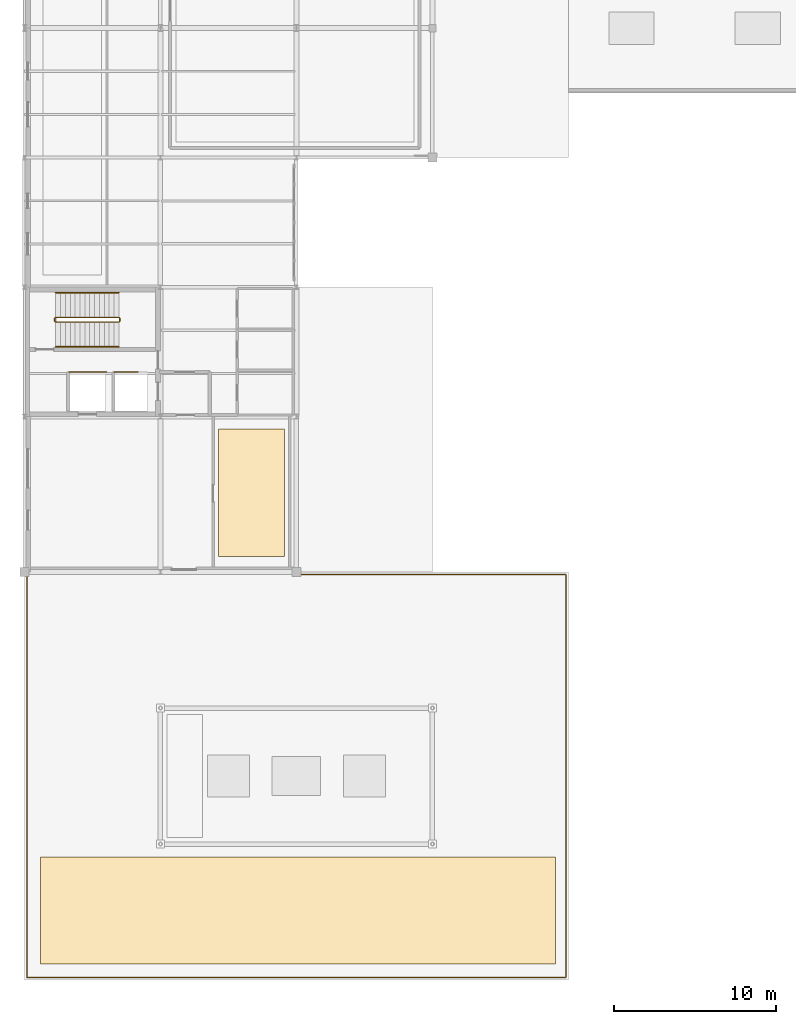
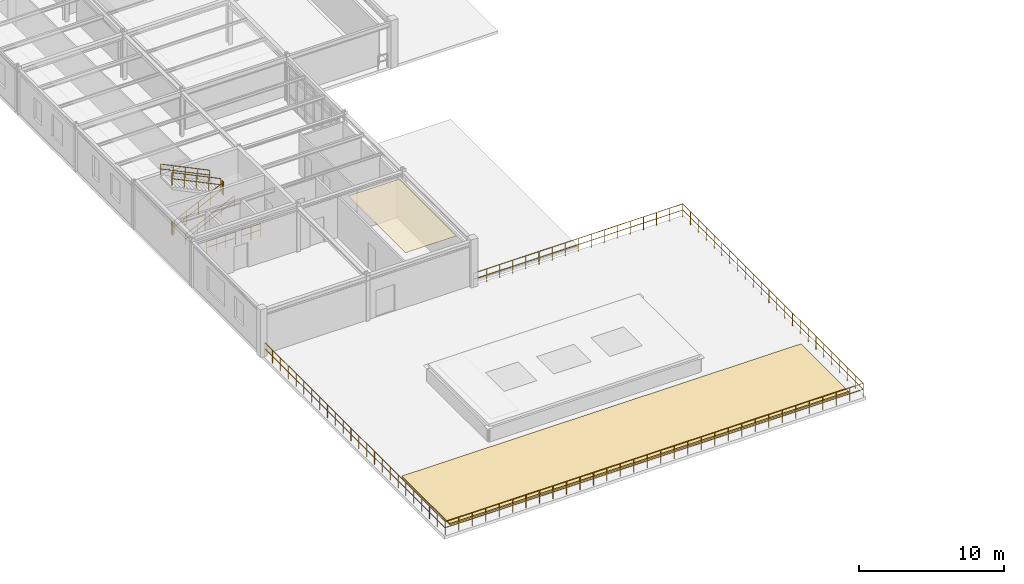
# One storey, part 62 of 70: 9 railings, 2 coverings.
"""IFC4 building model written with IfcOpenShell, lengths in metres."""

import ifcopenshell
import ifcopenshell.guid

model = None  # the IFC model being written
_history = None  # IfcOwnerHistory: only IFC2X3 demands one
_inside = {}  # id of a spatial element -> (the spatial element, [elements in it])
_under = {}  # id of a project, library or spatial element -> (it, [spatial elements below it])
_declared = {}  # id of a project -> (the project, [libraries it declares])
_typed = {}  # id of a type object -> (the type object, [elements of that type])
_made_of = {}  # id of a material, layer set ... -> (it, [elements and type objects made of it])


def new_model(schema):
    """Start an empty IFC model of exactly this schema.

    Asked for "IFC4X3", IfcOpenShell would pick the latest addendum, in which some entities
    have other attributes; the version numbers below select the first issue.
    IFC2X3 requires an IfcOwnerHistory on every rooted entity: one is made here for all.
    """
    global model, _history
    if schema == "IFC4X3":
        model = ifcopenshell.file(schema_version=(4, 3, 0, 0))
    else:
        model = ifcopenshell.file(schema=schema)
    _inside.clear()
    _under.clear()
    _declared.clear()
    _typed.clear()
    _made_of.clear()
    _history = None
    if model.schema == "IFC2X3":
        org = make("IfcOrganization", Name="unknown")
        user = make(
            "IfcPersonAndOrganization",
            ThePerson=make("IfcPerson", FamilyName="unknown"),
            TheOrganization=org,
        )
        app = make(
            "IfcApplication",
            ApplicationDeveloper=org,
            Version="unknown",
            ApplicationFullName="unknown",
            ApplicationIdentifier="unknown",
        )
        _history = make(
            "IfcOwnerHistory",
            OwningUser=user,
            OwningApplication=app,
            ChangeAction="ADDED",
            CreationDate=0,
        )
    return model


def make(cls, **values):
    """One entity of the class cls with the attributes given. An attribute that is None is left unset."""
    return model.create_entity(
        cls, **{name: value for name, value in values.items() if value is not None}
    )


def rooted(cls, **values):
    """An entity with a GlobalId (a new one), such as an element, a storey or a relation."""
    return make(cls, GlobalId=ifcopenshell.guid.new(), OwnerHistory=_history, **values)


def si_unit(unit_type, name, prefix=None):
    """IfcSIUnit, for example si_unit("LENGTHUNIT", "METRE", prefix="MILLI")."""
    return make("IfcSIUnit", UnitType=unit_type, Prefix=prefix, Name=name)


def derived_unit(unit_type, elements):
    """IfcDerivedUnit: a product of units, each with its exponent."""
    return make(
        "IfcDerivedUnit",
        Elements=[
            make("IfcDerivedUnitElement", Unit=unit, Exponent=power)
            for unit, power in elements
        ],
        UnitType=unit_type,
    )


def assignment(units):
    """IfcUnitAssignment: the units of a project."""
    return None if units is None else make("IfcUnitAssignment", Units=units)


def point(xyz):
    """IfcCartesianPoint."""
    return None if xyz is None else make("IfcCartesianPoint", Coordinates=xyz)


def direction(xyz):
    """IfcDirection."""
    return None if xyz is None else make("IfcDirection", DirectionRatios=xyz)


def frame(location, z_axis=None, x_axis=None):
    """IfcAxis2Placement3D, a coordinate frame: its origin and axes. An axis left out is left unset."""
    return make(
        "IfcAxis2Placement3D",
        Location=point(location),
        Axis=direction(z_axis),
        RefDirection=direction(x_axis),
    )


def frame_2d(location, x_axis=None):
    """IfcAxis2Placement2D, a coordinate frame in the plane: its origin and x axis."""
    return make(
        "IfcAxis2Placement2D", Location=point(location), RefDirection=direction(x_axis)
    )


def origin():
    """The frame at (0, 0, 0) with its axes left unset."""
    return frame((0.0, 0.0, 0.0))


def origin_2d():
    """The frame at (0, 0) in the plane with its x axis left unset."""
    return frame_2d((0.0, 0.0))


def place(relative_to, where):
    """IfcLocalPlacement: puts the frame where relative to a parent placement (None: the world)."""
    return make(
        "IfcLocalPlacement", PlacementRelTo=relative_to, RelativePlacement=where
    )


def context(
    kind, dimensions, precision=None, world=None, true_north=None, identifier=None
):
    """IfcGeometricRepresentationContext, for example the 3D "Model" context."""
    return make(
        "IfcGeometricRepresentationContext",
        ContextIdentifier=identifier,
        ContextType=kind,
        CoordinateSpaceDimension=dimensions,
        Precision=precision,
        WorldCoordinateSystem=world,
        TrueNorth=true_north,
    )


def subcontext(parent, identifier, kind, view, scale=None):
    """IfcGeometricRepresentationSubContext, for example "Body" below "Model"."""
    return make(
        "IfcGeometricRepresentationSubContext",
        ContextIdentifier=identifier,
        ContextType=kind,
        ParentContext=parent,
        TargetScale=scale,
        TargetView=view,
    )


def project(units=None, contexts=None):
    """IfcProject with its units and contexts."""
    return rooted(
        "IfcProject",
        Name="project",
        RepresentationContexts=contexts,
        UnitsInContext=assignment(units),
    )


def spatial(cls, under=None, at=None, **own):
    """A site, building, storey or space (cls), placed at a placement, below another one or the project."""
    s = rooted(cls, ObjectPlacement=at, **own)
    if under is not None:
        _under.setdefault(under.id(), (under, []))[1].append(s)
    return s


def polyline(points):
    """IfcPolyline through the points."""
    return make("IfcPolyline", Points=[point(p) for p in points])


def profile(cls, at=None, kind="AREA", **sizes):
    """A parametric profile (cls). Its sizes go by their IFC names, for example OverallWidth=200.0."""
    return make(cls, ProfileType=kind, Position=at, **sizes)


def circle(**sizes):
    """IfcCircleProfileDef."""
    return profile("IfcCircleProfileDef", **sizes)


def outline(outer, holes=None, kind="AREA"):
    """IfcArbitraryClosedProfileDef: a profile drawn as a closed curve; with holes, ...WithVoids."""
    if holes is None:
        return make("IfcArbitraryClosedProfileDef", ProfileType=kind, OuterCurve=outer)
    return make(
        "IfcArbitraryProfileDefWithVoids",
        ProfileType=kind,
        OuterCurve=outer,
        InnerCurves=holes,
    )


def extrude(swept, where, along, depth):
    """IfcExtrudedAreaSolid: the profile swept, set in the frame where, extruded along a direction by depth."""
    return make(
        "IfcExtrudedAreaSolid",
        SweptArea=swept,
        Position=where,
        ExtrudedDirection=direction(along),
        Depth=depth,
    )


def shape(context_of_items, identifier, shape_type, items):
    """IfcShapeRepresentation: the items that make up one representation, for example the "Body"."""
    return make(
        "IfcShapeRepresentation",
        ContextOfItems=context_of_items,
        RepresentationIdentifier=identifier,
        RepresentationType=shape_type,
        Items=items,
    )


def material(Name=None, Category=None):
    """IfcMaterial."""
    return make("IfcMaterial", Name=Name, Category=Category)


def layer(
    of_material, thickness, ventilated=None, Name=None, Category=None, Priority=None
):
    """IfcMaterialLayer: one layer of a wall or slab, of a material (None: an air gap)."""
    return make(
        "IfcMaterialLayer",
        Material=of_material,
        LayerThickness=thickness,
        IsVentilated=ventilated,
        Name=Name,
        Category=Category,
        Priority=Priority,
    )


def layer_set(layers, Name=None):
    """IfcMaterialLayerSet."""
    return make("IfcMaterialLayerSet", MaterialLayers=layers, LayerSetName=Name)


def made_of(thing, what):
    """Note that an element or type object is made of a material, layer set ...; save() writes the relation."""
    if what is not None:
        _made_of.setdefault(what.id(), (what, []))[1].append(thing)
    return thing


def type_object(cls, material=None, **own):
    """A type object (cls), such as IfcWallType, which elements share."""
    return made_of(rooted(cls, **own), material)


def element(
    cls,
    number,
    at=None,
    inside=None,
    cuts=None,
    type_object=None,
    material=None,
    context=None,
    identifier="Body",
    shape_type=None,
    held_by="IfcProductDefinitionShape",
    body=None,
    shapes=None,
    **own,
):
    """One element of the class cls, such as IfcWall. Its Tag is "e" and its number.

    at: its placement. inside: the storey or other place that contains it. cuts: it is an
    opening in that element (IfcRelVoidsElement). A single representation is given by context,
    identifier, shape_type and body (its items); several are given by shapes. held_by: the class
    of the entity that holds the representations. save() writes the other relations.
    """
    e = rooted(cls, Tag="e%d" % number, ObjectPlacement=at, **own)
    if body is not None:
        shapes = [shape(context, identifier, shape_type, body)]
    if shapes is not None:
        e.Representation = make(held_by, Representations=shapes)
    if inside is not None:
        _inside.setdefault(inside.id(), (inside, []))[1].append(e)
    if cuts is not None:
        rooted(
            "IfcRelVoidsElement", RelatingBuildingElement=cuts, RelatedOpeningElement=e
        )
    if type_object is not None:
        _typed.setdefault(type_object.id(), (type_object, []))[1].append(e)
    return made_of(e, material)


def aggregate(whole, parts):
    """IfcRelAggregates: a whole, such as a stair, and the parts it consists of."""
    return rooted("IfcRelAggregates", RelatingObject=whole, RelatedObjects=parts)


def save(model, path):
    """Write the relations noted so far, then the file.

    IfcRelAggregates (storeys below a building ...), IfcRelContainedInSpatialStructure (elements
    in a storey), IfcRelDefinesByType, IfcRelAssociatesMaterial and IfcRelDeclares: one each for
    every whole, place, type object, material and project.
    """
    for whole, parts in _under.values():
        aggregate(whole, parts)
    for where, things in _inside.values():
        rooted(
            "IfcRelContainedInSpatialStructure",
            RelatedElements=things,
            RelatingStructure=where,
        )
    for kind, things in _typed.values():
        rooted("IfcRelDefinesByType", RelatedObjects=things, RelatingType=kind)
    for what, things in _made_of.values():
        rooted("IfcRelAssociatesMaterial", RelatedObjects=things, RelatingMaterial=what)
    for by, libraries in _declared.values():
        rooted("IfcRelDeclares", RelatingContext=by, RelatedDefinitions=libraries)
    model.write(path)


model = new_model("IFC4")

# Units and contexts
model_context = context("Model", 3, precision=1e-05, world=origin(), true_north=direction((0.0, 1.0)))
body_context = subcontext(model_context, "Body", "Model", "MODEL_VIEW")
ifc_project = project(units=[si_unit("LENGTHUNIT", "METRE"), si_unit("AREAUNIT", "SQUARE_METRE"), si_unit("VOLUMEUNIT", "CUBIC_METRE"), si_unit("PLANEANGLEUNIT", "RADIAN"), si_unit("MASSUNIT", "GRAM", prefix="KILO"), derived_unit("THERMALTRANSMITTANCEUNIT", [(si_unit("POWERUNIT", "WATT"), 1), (si_unit("AREAUNIT", "SQUARE_METRE"), -1), (si_unit("THERMODYNAMICTEMPERATUREUNIT", "KELVIN"), -1)])], contexts=[model_context])

# Site, building, storey
site_placement = place(None, origin())
site = spatial("IfcSite", under=ifc_project, at=site_placement, CompositionType="ELEMENT")
building_placement = place(site_placement, origin())
building = spatial("IfcBuilding", under=site, at=building_placement, Name="Yasenodar Specialist Clinic", CompositionType="ELEMENT")
storey_placement = place(building_placement, frame((0.0, 0.0, 13.199951171875)))
storey = spatial("IfcBuildingStorey", under=building, at=storey_placement, Name="L03", CompositionType="ELEMENT", Elevation=13.199951171875)

# Coverings
ifc_material_1 = material(Name="Hygienic Acoustic Mineral-Fibre Ceiling")
ifc_layer_1 = layer(ifc_material_1, 0.02490234375)
ifc_layer_set_1 = layer_set([ifc_layer_1], Name="Hygienic Acoustic Mineral-Fibre Ceiling")
covering_type_1 = type_object("IfcCoveringType", Name="COV-CEIL-AC", PredefinedType="CEILING", material=ifc_layer_set_1)
covering_1_placement = place(storey_placement, frame((0.0, 0.0, 3.800048828125)))
element("IfcCovering", 1, at=covering_1_placement, inside=storey, type_object=covering_type_1, Name="L03 Terrace Rehabilitation Lounge Acoustic Ceiling", PredefinedType="CEILING", context=body_context, shape_type="SweptSolid", body=[
    extrude(outline(polyline([(16.050048828125, 26.14990234375), (12.0, 26.14990234375), (12.0, 34.050048828125), (16.050048828125, 34.050048828125), (16.050048828125, 26.14990234375)])), origin(), (0.0, 0.0, 1.0), 0.02490234375),
])
ifc_material_2 = material(Name="Vegetated Sedum and Substrate Roof Covering")
ifc_layer_2 = layer(ifc_material_2, 0.1201171875)
ifc_layer_set_2 = layer_set([ifc_layer_2], Name="Vegetated Sedum and Substrate Roof Covering")
covering_type_2 = type_object("IfcCoveringType", Name="COV-ROOF-SEDUM", PredefinedType="ROOFING", material=ifc_layer_set_2)
covering_2_placement = place(storey_placement, origin())
element("IfcCovering", 2, at=covering_2_placement, inside=storey, type_object=covering_type_2, Name="V2 Planted Sedum Terrace Covering", PredefinedType="ROOFING", context=body_context, shape_type="SweptSolid", body=[
    extrude(outline(polyline([(1.0, 1.0), (32.800048828125, 1.0), (32.800048828125, 7.60009765625), (1.0, 7.60009765625), (1.0, 1.0)])), origin(), (0.0, 0.0, 1.0), 0.1201171875),
])

# Railings
ifc_material_3 = material(Name="Steel S355 Painted Guardrail", Category="steel")
railing_type_1 = type_object("IfcRailingType", Name="RL-GRD-1120", PredefinedType="GUARDRAIL", material=ifc_material_3)
railing_1_placement = place(storey_placement, frame((16.800048828125, 25.050048828125, 0.0)))
element("IfcRailing", 3, at=railing_1_placement, inside=storey, type_object=railing_type_1, Name="L03 V2 Planted Roof Terrace Perimeter Guardrail", PredefinedType="GUARDRAIL", context=body_context, shape_type="SweptSolid", body=[
    extrude(circle(Radius=0.02392578125, at=origin_2d()), frame((0.0, 0.0, 1.09619140625), z_axis=(1.0, 0.0, 0.0), x_axis=(0.0, 1.0, 0.0)), (0.0, 0.0, 1.0), 16.64990234375),
    extrude(circle(Radius=0.02392578125, at=origin_2d()), frame((0.0, 0.0, 0.58251953125), z_axis=(1.0, 0.0, 0.0), x_axis=(0.0, 1.0, 0.0)), (0.0, 0.0, 1.0), 16.64990234375),
    extrude(circle(Radius=0.02392578125, at=origin_2d()), frame((16.64990234375, 0.0, 1.09619140625), z_axis=(0.0, -1.0, 0.0), x_axis=(1.0, 0.0, 0.0)), (0.0, 0.0, 1.0), 24.900146484375),
    extrude(circle(Radius=0.02392578125, at=origin_2d()), frame((16.64990234375, 0.0, 0.58251953125), z_axis=(0.0, -1.0, 0.0), x_axis=(1.0, 0.0, 0.0)), (0.0, 0.0, 1.0), 24.900146484375),
    extrude(circle(Radius=0.02392578125, at=origin_2d()), frame((16.64990234375, -24.900146484375, 1.09619140625), z_axis=(-1.0, 0.0, 0.0), x_axis=(0.0, -1.0, 0.0)), (0.0, 0.0, 1.0), 33.300048828125),
    extrude(circle(Radius=0.02392578125, at=origin_2d()), frame((16.64990234375, -24.900146484375, 0.58251953125), z_axis=(-1.0, 0.0, 0.0), x_axis=(0.0, -1.0, 0.0)), (0.0, 0.0, 1.0), 33.300048828125),
    extrude(circle(Radius=0.02392578125, at=origin_2d()), frame((-16.650146484375, -24.900146484375, 1.09619140625), z_axis=(0.0, 1.0, 0.0), x_axis=(-1.0, 0.0, 0.0)), (0.0, 0.0, 1.0), 24.900146484375),
    extrude(circle(Radius=0.02392578125, at=origin_2d()), frame((-16.650146484375, -24.900146484375, 0.58251953125), z_axis=(0.0, 1.0, 0.0), x_axis=(-1.0, 0.0, 0.0)), (0.0, 0.0, 1.0), 24.900146484375),
    extrude(circle(Radius=0.02099609375, at=origin_2d()), origin(), (0.0, 0.0, 1.0), 1.072021484375),
    extrude(circle(Radius=0.02099609375, at=origin_2d()), frame((1.04052734375, 0.0, 0.0)), (0.0, 0.0, 1.0), 1.072021484375),
    extrude(circle(Radius=0.02099609375, at=origin_2d()), frame((2.081298828125, 0.0, 0.0)), (0.0, 0.0, 1.0), 1.072021484375),
    extrude(circle(Radius=0.02099609375, at=origin_2d()), frame((3.121826171875, 0.0, 0.0)), (0.0, 0.0, 1.0), 1.072021484375),
    extrude(circle(Radius=0.02099609375, at=origin_2d()), frame((4.16259765625, 0.0, 0.0)), (0.0, 0.0, 1.0), 1.072021484375),
    extrude(circle(Radius=0.02099609375, at=origin_2d()), frame((5.203125, 0.0, 0.0)), (0.0, 0.0, 1.0), 1.072021484375),
    extrude(circle(Radius=0.02099609375, at=origin_2d()), frame((6.24365234375, 0.0, 0.0)), (0.0, 0.0, 1.0), 1.072021484375),
    extrude(circle(Radius=0.02099609375, at=origin_2d()), frame((7.284423828125, 0.0, 0.0)), (0.0, 0.0, 1.0), 1.072021484375),
    extrude(circle(Radius=0.02099609375, at=origin_2d()), frame((8.324951171875, 0.0, 0.0)), (0.0, 0.0, 1.0), 1.072021484375),
    extrude(circle(Radius=0.02099609375, at=origin_2d()), frame((9.365478515625, 0.0, 0.0)), (0.0, 0.0, 1.0), 1.072021484375),
    extrude(circle(Radius=0.02099609375, at=origin_2d()), frame((10.40625, 0.0, 0.0)), (0.0, 0.0, 1.0), 1.072021484375),
    extrude(circle(Radius=0.02099609375, at=origin_2d()), frame((11.44677734375, 0.0, 0.0)), (0.0, 0.0, 1.0), 1.072021484375),
    extrude(circle(Radius=0.02099609375, at=origin_2d()), frame((12.4873046875, 0.0, 0.0)), (0.0, 0.0, 1.0), 1.072021484375),
    extrude(circle(Radius=0.02099609375, at=origin_2d()), frame((13.528076171875, 0.0, 0.0)), (0.0, 0.0, 1.0), 1.072021484375),
    extrude(circle(Radius=0.02099609375, at=origin_2d()), frame((14.568603515625, 0.0, 0.0)), (0.0, 0.0, 1.0), 1.072021484375),
    extrude(circle(Radius=0.02099609375, at=origin_2d()), frame((15.609375, 0.0, 0.0)), (0.0, 0.0, 1.0), 1.072021484375),
    extrude(circle(Radius=0.02099609375, at=origin_2d()), frame((16.64990234375, 0.0, 0.0)), (0.0, 0.0, 1.0), 1.072021484375),
    extrude(circle(Radius=0.02099609375, at=origin_2d()), frame((16.64990234375, -1.08251953125, 0.0)), (0.0, 0.0, 1.0), 1.072021484375),
    extrude(circle(Radius=0.02099609375, at=origin_2d()), frame((16.64990234375, -2.165283203125, 0.0)), (0.0, 0.0, 1.0), 1.072021484375),
    extrude(circle(Radius=0.02099609375, at=origin_2d()), frame((16.64990234375, -3.247802734375, 0.0)), (0.0, 0.0, 1.0), 1.072021484375),
    extrude(circle(Radius=0.02099609375, at=origin_2d()), frame((16.64990234375, -4.33056640625, 0.0)), (0.0, 0.0, 1.0), 1.072021484375),
    extrude(circle(Radius=0.02099609375, at=origin_2d()), frame((16.64990234375, -5.4130859375, 0.0)), (0.0, 0.0, 1.0), 1.072021484375),
    extrude(circle(Radius=0.02099609375, at=origin_2d()), frame((16.64990234375, -6.49560546875, 0.0)), (0.0, 0.0, 1.0), 1.072021484375),
    extrude(circle(Radius=0.02099609375, at=origin_2d()), frame((16.64990234375, -7.578369140625, 0.0)), (0.0, 0.0, 1.0), 1.072021484375),
    extrude(circle(Radius=0.02099609375, at=origin_2d()), frame((16.64990234375, -8.660888671875, 0.0)), (0.0, 0.0, 1.0), 1.072021484375),
    extrude(circle(Radius=0.02099609375, at=origin_2d()), frame((16.64990234375, -9.74365234375, 0.0)), (0.0, 0.0, 1.0), 1.072021484375),
    extrude(circle(Radius=0.02099609375, at=origin_2d()), frame((16.64990234375, -10.826171875, 0.0)), (0.0, 0.0, 1.0), 1.072021484375),
    extrude(circle(Radius=0.02099609375, at=origin_2d()), frame((16.64990234375, -11.90869140625, 0.0)), (0.0, 0.0, 1.0), 1.072021484375),
    extrude(circle(Radius=0.02099609375, at=origin_2d()), frame((16.64990234375, -12.991455078125, 0.0)), (0.0, 0.0, 1.0), 1.072021484375),
    extrude(circle(Radius=0.02099609375, at=origin_2d()), frame((16.64990234375, -14.073974609375, 0.0)), (0.0, 0.0, 1.0), 1.072021484375),
    extrude(circle(Radius=0.02099609375, at=origin_2d()), frame((16.64990234375, -15.156494140625, 0.0)), (0.0, 0.0, 1.0), 1.072021484375),
    extrude(circle(Radius=0.02099609375, at=origin_2d()), frame((16.64990234375, -16.2392578125, 0.0)), (0.0, 0.0, 1.0), 1.072021484375),
    extrude(circle(Radius=0.02099609375, at=origin_2d()), frame((16.64990234375, -17.32177734375, 0.0)), (0.0, 0.0, 1.0), 1.072021484375),
    extrude(circle(Radius=0.02099609375, at=origin_2d()), frame((16.64990234375, -18.404541015625, 0.0)), (0.0, 0.0, 1.0), 1.072021484375),
    extrude(circle(Radius=0.02099609375, at=origin_2d()), frame((16.64990234375, -19.487060546875, 0.0)), (0.0, 0.0, 1.0), 1.072021484375),
    extrude(circle(Radius=0.02099609375, at=origin_2d()), frame((16.64990234375, -20.569580078125, 0.0)), (0.0, 0.0, 1.0), 1.072021484375),
    extrude(circle(Radius=0.02099609375, at=origin_2d()), frame((16.64990234375, -21.65234375, 0.0)), (0.0, 0.0, 1.0), 1.072021484375),
    extrude(circle(Radius=0.02099609375, at=origin_2d()), frame((16.64990234375, -22.73486328125, 0.0)), (0.0, 0.0, 1.0), 1.072021484375),
    extrude(circle(Radius=0.02099609375, at=origin_2d()), frame((16.64990234375, -23.817626953125, 0.0)), (0.0, 0.0, 1.0), 1.072021484375),
    extrude(circle(Radius=0.02099609375, at=origin_2d()), frame((16.64990234375, -24.900146484375, 0.0)), (0.0, 0.0, 1.0), 1.072021484375),
    extrude(circle(Radius=0.02099609375, at=origin_2d()), frame((15.57568359375, -24.900146484375, 0.0)), (0.0, 0.0, 1.0), 1.072021484375),
    extrude(circle(Radius=0.02099609375, at=origin_2d()), frame((14.50146484375, -24.900146484375, 0.0)), (0.0, 0.0, 1.0), 1.072021484375),
    extrude(circle(Radius=0.02099609375, at=origin_2d()), frame((13.42724609375, -24.900146484375, 0.0)), (0.0, 0.0, 1.0), 1.072021484375),
    extrude(circle(Radius=0.02099609375, at=origin_2d()), frame((12.35302734375, -24.900146484375, 0.0)), (0.0, 0.0, 1.0), 1.072021484375),
    extrude(circle(Radius=0.02099609375, at=origin_2d()), frame((11.27880859375, -24.900146484375, 0.0)), (0.0, 0.0, 1.0), 1.072021484375),
    extrude(circle(Radius=0.02099609375, at=origin_2d()), frame((10.204833984375, -24.900146484375, 0.0)), (0.0, 0.0, 1.0), 1.072021484375),
    extrude(circle(Radius=0.02099609375, at=origin_2d()), frame((9.130615234375, -24.900146484375, 0.0)), (0.0, 0.0, 1.0), 1.072021484375),
    extrude(circle(Radius=0.02099609375, at=origin_2d()), frame((8.056396484375, -24.900146484375, 0.0)), (0.0, 0.0, 1.0), 1.072021484375),
    extrude(circle(Radius=0.02099609375, at=origin_2d()), frame((6.982177734375, -24.900146484375, 0.0)), (0.0, 0.0, 1.0), 1.072021484375),
    extrude(circle(Radius=0.02099609375, at=origin_2d()), frame((5.907958984375, -24.900146484375, 0.0)), (0.0, 0.0, 1.0), 1.072021484375),
    extrude(circle(Radius=0.02099609375, at=origin_2d()), frame((4.833740234375, -24.900146484375, 0.0)), (0.0, 0.0, 1.0), 1.072021484375),
    extrude(circle(Radius=0.02099609375, at=origin_2d()), frame((3.759521484375, -24.900146484375, 0.0)), (0.0, 0.0, 1.0), 1.072021484375),
    extrude(circle(Radius=0.02099609375, at=origin_2d()), frame((2.685302734375, -24.900146484375, 0.0)), (0.0, 0.0, 1.0), 1.072021484375),
    extrude(circle(Radius=0.02099609375, at=origin_2d()), frame((1.611083984375, -24.900146484375, 0.0)), (0.0, 0.0, 1.0), 1.072021484375),
    extrude(circle(Radius=0.02099609375, at=origin_2d()), frame((0.536865234375, -24.900146484375, 0.0)), (0.0, 0.0, 1.0), 1.072021484375),
    extrude(circle(Radius=0.02099609375, at=origin_2d()), frame((-0.537109375, -24.900146484375, 0.0)), (0.0, 0.0, 1.0), 1.072021484375),
    extrude(circle(Radius=0.02099609375, at=origin_2d()), frame((-1.611328125, -24.900146484375, 0.0)), (0.0, 0.0, 1.0), 1.072021484375),
    extrude(circle(Radius=0.02099609375, at=origin_2d()), frame((-2.685546875, -24.900146484375, 0.0)), (0.0, 0.0, 1.0), 1.072021484375),
    extrude(circle(Radius=0.02099609375, at=origin_2d()), frame((-3.759765625, -24.900146484375, 0.0)), (0.0, 0.0, 1.0), 1.072021484375),
    extrude(circle(Radius=0.02099609375, at=origin_2d()), frame((-4.833984375, -24.900146484375, 0.0)), (0.0, 0.0, 1.0), 1.072021484375),
    extrude(circle(Radius=0.02099609375, at=origin_2d()), frame((-5.908203125, -24.900146484375, 0.0)), (0.0, 0.0, 1.0), 1.072021484375),
    extrude(circle(Radius=0.02099609375, at=origin_2d()), frame((-6.982421875, -24.900146484375, 0.0)), (0.0, 0.0, 1.0), 1.072021484375),
    extrude(circle(Radius=0.02099609375, at=origin_2d()), frame((-8.056640625, -24.900146484375, 0.0)), (0.0, 0.0, 1.0), 1.072021484375),
    extrude(circle(Radius=0.02099609375, at=origin_2d()), frame((-9.130859375, -24.900146484375, 0.0)), (0.0, 0.0, 1.0), 1.072021484375),
    extrude(circle(Radius=0.02099609375, at=origin_2d()), frame((-10.205078125, -24.900146484375, 0.0)), (0.0, 0.0, 1.0), 1.072021484375),
    extrude(circle(Radius=0.02099609375, at=origin_2d()), frame((-11.279052734375, -24.900146484375, 0.0)), (0.0, 0.0, 1.0), 1.072021484375),
    extrude(circle(Radius=0.02099609375, at=origin_2d()), frame((-12.353271484375, -24.900146484375, 0.0)), (0.0, 0.0, 1.0), 1.072021484375),
    extrude(circle(Radius=0.02099609375, at=origin_2d()), frame((-13.427490234375, -24.900146484375, 0.0)), (0.0, 0.0, 1.0), 1.072021484375),
    extrude(circle(Radius=0.02099609375, at=origin_2d()), frame((-14.501708984375, -24.900146484375, 0.0)), (0.0, 0.0, 1.0), 1.072021484375),
    extrude(circle(Radius=0.02099609375, at=origin_2d()), frame((-15.575927734375, -24.900146484375, 0.0)), (0.0, 0.0, 1.0), 1.072021484375),
    extrude(circle(Radius=0.02099609375, at=origin_2d()), frame((-16.650146484375, -24.900146484375, 0.0)), (0.0, 0.0, 1.0), 1.072021484375),
    extrude(circle(Radius=0.02099609375, at=origin_2d()), frame((-16.650146484375, -23.817626953125, 0.0)), (0.0, 0.0, 1.0), 1.072021484375),
    extrude(circle(Radius=0.02099609375, at=origin_2d()), frame((-16.650146484375, -22.73486328125, 0.0)), (0.0, 0.0, 1.0), 1.072021484375),
    extrude(circle(Radius=0.02099609375, at=origin_2d()), frame((-16.650146484375, -21.65234375, 0.0)), (0.0, 0.0, 1.0), 1.072021484375),
    extrude(circle(Radius=0.02099609375, at=origin_2d()), frame((-16.650146484375, -20.569580078125, 0.0)), (0.0, 0.0, 1.0), 1.072021484375),
    extrude(circle(Radius=0.02099609375, at=origin_2d()), frame((-16.650146484375, -19.487060546875, 0.0)), (0.0, 0.0, 1.0), 1.072021484375),
    extrude(circle(Radius=0.02099609375, at=origin_2d()), frame((-16.650146484375, -18.404541015625, 0.0)), (0.0, 0.0, 1.0), 1.072021484375),
    extrude(circle(Radius=0.02099609375, at=origin_2d()), frame((-16.650146484375, -17.32177734375, 0.0)), (0.0, 0.0, 1.0), 1.072021484375),
    extrude(circle(Radius=0.02099609375, at=origin_2d()), frame((-16.650146484375, -16.2392578125, 0.0)), (0.0, 0.0, 1.0), 1.072021484375),
    extrude(circle(Radius=0.02099609375, at=origin_2d()), frame((-16.650146484375, -15.156494140625, 0.0)), (0.0, 0.0, 1.0), 1.072021484375),
    extrude(circle(Radius=0.02099609375, at=origin_2d()), frame((-16.650146484375, -14.073974609375, 0.0)), (0.0, 0.0, 1.0), 1.072021484375),
    extrude(circle(Radius=0.02099609375, at=origin_2d()), frame((-16.650146484375, -12.991455078125, 0.0)), (0.0, 0.0, 1.0), 1.072021484375),
    extrude(circle(Radius=0.02099609375, at=origin_2d()), frame((-16.650146484375, -11.90869140625, 0.0)), (0.0, 0.0, 1.0), 1.072021484375),
    extrude(circle(Radius=0.02099609375, at=origin_2d()), frame((-16.650146484375, -10.826171875, 0.0)), (0.0, 0.0, 1.0), 1.072021484375),
    extrude(circle(Radius=0.02099609375, at=origin_2d()), frame((-16.650146484375, -9.74365234375, 0.0)), (0.0, 0.0, 1.0), 1.072021484375),
    extrude(circle(Radius=0.02099609375, at=origin_2d()), frame((-16.650146484375, -8.660888671875, 0.0)), (0.0, 0.0, 1.0), 1.072021484375),
    extrude(circle(Radius=0.02099609375, at=origin_2d()), frame((-16.650146484375, -7.578369140625, 0.0)), (0.0, 0.0, 1.0), 1.072021484375),
    extrude(circle(Radius=0.02099609375, at=origin_2d()), frame((-16.650146484375, -6.49560546875, 0.0)), (0.0, 0.0, 1.0), 1.072021484375),
    extrude(circle(Radius=0.02099609375, at=origin_2d()), frame((-16.650146484375, -5.4130859375, 0.0)), (0.0, 0.0, 1.0), 1.072021484375),
    extrude(circle(Radius=0.02099609375, at=origin_2d()), frame((-16.650146484375, -4.33056640625, 0.0)), (0.0, 0.0, 1.0), 1.072021484375),
    extrude(circle(Radius=0.02099609375, at=origin_2d()), frame((-16.650146484375, -3.247802734375, 0.0)), (0.0, 0.0, 1.0), 1.072021484375),
    extrude(circle(Radius=0.02099609375, at=origin_2d()), frame((-16.650146484375, -2.165283203125, 0.0)), (0.0, 0.0, 1.0), 1.072021484375),
    extrude(circle(Radius=0.02099609375, at=origin_2d()), frame((-16.650146484375, -1.08251953125, 0.0)), (0.0, 0.0, 1.0), 1.072021484375),
    extrude(circle(Radius=0.02099609375, at=origin_2d()), frame((-16.650146484375, 0.0, 0.0)), (0.0, 0.0, 1.0), 1.072021484375),
])
railing_2_placement = place(storey_placement, frame((2.75, 37.56005859375, 0.0)))
element("IfcRailing", 4, at=railing_2_placement, inside=storey, type_object=railing_type_1, Name="L03 Core C1 Lift LF-05 Shaft Guardrail", PredefinedType="GUARDRAIL", context=body_context, shape_type="SweptSolid", body=[
    extrude(circle(Radius=0.02392578125, at=origin_2d()), frame((0.0, 0.0, 1.09619140625), z_axis=(1.0, 0.0, 0.0), x_axis=(0.0, 1.0, 0.0)), (0.0, 0.0, 1.0), 2.300048828125),
    extrude(circle(Radius=0.02392578125, at=origin_2d()), frame((0.0, 0.0, 0.58251953125), z_axis=(1.0, 0.0, 0.0), x_axis=(0.0, 1.0, 0.0)), (0.0, 0.0, 1.0), 2.300048828125),
    extrude(circle(Radius=0.02099609375, at=origin_2d()), origin(), (0.0, 0.0, 1.0), 1.072021484375),
    extrude(circle(Radius=0.02099609375, at=origin_2d()), frame((0.7666015625, 0.0, 0.0)), (0.0, 0.0, 1.0), 1.072021484375),
    extrude(circle(Radius=0.02099609375, at=origin_2d()), frame((1.533447265625, 0.0, 0.0)), (0.0, 0.0, 1.0), 1.072021484375),
    extrude(circle(Radius=0.02099609375, at=origin_2d()), frame((2.300048828125, 0.0, 0.0)), (0.0, 0.0, 1.0), 1.072021484375),
])
railing_3_placement = place(storey_placement, frame((5.550048828125, 37.56005859375, 0.0)))
element("IfcRailing", 5, at=railing_3_placement, inside=storey, type_object=railing_type_1, Name="L03 Core C1 Lift LF-01 Shaft Guardrail", PredefinedType="GUARDRAIL", context=body_context, shape_type="SweptSolid", body=[
    extrude(circle(Radius=0.02392578125, at=origin_2d()), frame((0.0, 0.0, 1.09619140625), z_axis=(1.0, 0.0, 0.0), x_axis=(0.0, 1.0, 0.0)), (0.0, 0.0, 1.0), 1.4599609375),
    extrude(circle(Radius=0.02392578125, at=origin_2d()), frame((0.0, 0.0, 0.58251953125), z_axis=(1.0, 0.0, 0.0), x_axis=(0.0, 1.0, 0.0)), (0.0, 0.0, 1.0), 1.4599609375),
    extrude(circle(Radius=0.02099609375, at=origin_2d()), origin(), (0.0, 0.0, 1.0), 1.072021484375),
    extrude(circle(Radius=0.02099609375, at=origin_2d()), frame((0.72998046875, 0.0, 0.0)), (0.0, 0.0, 1.0), 1.072021484375),
    extrude(circle(Radius=0.02099609375, at=origin_2d()), frame((1.4599609375, 0.0, 0.0)), (0.0, 0.0, 1.0), 1.072021484375),
])
ifc_material_4 = material(Name="Steel S355 Painted Stair Guardrail", Category="steel")
railing_type_2 = type_object("IfcRailingType", Name="RL-ST-GRD", PredefinedType="GUARDRAIL", material=ifc_material_4)
railing_4_placement = place(storey_placement, frame((1.929931640625, 40.639892578125, 0.144775390625)))
element("IfcRailing", 6, at=railing_4_placement, inside=storey, type_object=railing_type_2, Name="L03 ST-01 stair guard 1", PredefinedType="GUARDRAIL", context=body_context, shape_type="SweptSolid", body=[
    extrude(circle(Radius=0.02392578125, at=origin_2d()), frame((0.0, 0.0, 1.09619140625), z_axis=(0.900773802044, 0.0, 0.434288564841), x_axis=(0.0, 1.0, 0.0)), (0.0, 0.0, 1.0), 4.329833984375),
    extrude(circle(Radius=0.02392578125, at=origin_2d()), frame((0.0, 0.0, 0.58251953125), z_axis=(0.900773802044, 0.0, 0.434288564841), x_axis=(0.0, 1.0, 0.0)), (0.0, 0.0, 1.0), 4.329833984375),
    extrude(circle(Radius=0.02099609375, at=origin_2d()), origin(), (0.0, 0.0, 1.0), 1.072021484375),
    extrude(circle(Radius=0.02099609375, at=origin_2d()), frame((0.97509765625, 0.0, 0.47021484375)), (0.0, 0.0, 1.0), 1.072021484375),
    extrude(circle(Radius=0.02099609375, at=origin_2d()), frame((1.9501953125, 0.0, 0.940185546875)), (0.0, 0.0, 1.0), 1.072021484375),
    extrude(circle(Radius=0.02099609375, at=origin_2d()), frame((2.925048828125, 0.0, 1.41015625)), (0.0, 0.0, 1.0), 1.072021484375),
    extrude(circle(Radius=0.02099609375, at=origin_2d()), frame((3.900146484375, 0.0, 1.88037109375)), (0.0, 0.0, 1.0), 1.072021484375),
])
railing_5_placement = place(storey_placement, frame((5.8798828125, 40.68994140625, 2.025146484375)))
element("IfcRailing", 7, at=railing_5_placement, inside=storey, type_object=railing_type_2, Name="L03 ST-01 stair guard 2", PredefinedType="GUARDRAIL", context=body_context, shape_type="SweptSolid", body=[
    extrude(circle(Radius=0.02392578125, at=origin_2d()), frame((0.0, 0.0, 1.09619140625), z_axis=(0.0, 1.0, 0.0), x_axis=(-1.0, 0.0, 0.0)), (0.0, 0.0, 1.0), 0.18994140625),
    extrude(circle(Radius=0.02392578125, at=origin_2d()), frame((0.0, 0.0, 0.58251953125), z_axis=(0.0, 1.0, 0.0), x_axis=(-1.0, 0.0, 0.0)), (0.0, 0.0, 1.0), 0.18994140625),
    extrude(circle(Radius=0.02099609375, at=origin_2d()), origin(), (0.0, 0.0, 1.0), 1.072021484375),
    extrude(circle(Radius=0.02099609375, at=origin_2d()), frame((0.0, 0.18994140625, 0.0)), (0.0, 0.0, 1.0), 1.072021484375),
])
railing_6_placement = place(storey_placement, frame((5.830078125, 40.929931640625, 2.169677734375)))
element("IfcRailing", 8, at=railing_6_placement, inside=storey, type_object=railing_type_2, Name="L03 ST-01 stair guard 3", PredefinedType="GUARDRAIL", context=body_context, shape_type="SweptSolid", body=[
    extrude(circle(Radius=0.02392578125, at=origin_2d()), frame((0.0, 0.0, 1.09619140625), z_axis=(-0.900773802044, 0.0, 0.434288564841), x_axis=(0.0, -1.0, 0.0)), (0.0, 0.0, 1.0), 4.329833984375),
    extrude(circle(Radius=0.02392578125, at=origin_2d()), frame((0.0, 0.0, 0.58251953125), z_axis=(-0.900773802044, 0.0, 0.434288564841), x_axis=(0.0, -1.0, 0.0)), (0.0, 0.0, 1.0), 4.329833984375),
    extrude(circle(Radius=0.02099609375, at=origin_2d()), origin(), (0.0, 0.0, 1.0), 1.072021484375),
    extrude(circle(Radius=0.02099609375, at=origin_2d()), frame((-0.97509765625, 0.0, 0.47021484375)), (0.0, 0.0, 1.0), 1.072021484375),
    extrude(circle(Radius=0.02099609375, at=origin_2d()), frame((-1.9501953125, 0.0, 0.940185546875)), (0.0, 0.0, 1.0), 1.072021484375),
    extrude(circle(Radius=0.02099609375, at=origin_2d()), frame((-2.925048828125, 0.0, 1.41015625)), (0.0, 0.0, 1.0), 1.072021484375),
    extrude(circle(Radius=0.02099609375, at=origin_2d()), frame((-3.900146484375, 0.0, 1.88037109375)), (0.0, 0.0, 1.0), 1.072021484375),
])
railing_7_placement = place(storey_placement, frame((1.8798828125, 40.68994140625, 0.0)))
element("IfcRailing", 9, at=railing_7_placement, inside=storey, type_object=railing_type_2, Name="L03 ST-01 stair guard 4", PredefinedType="GUARDRAIL", context=body_context, shape_type="SweptSolid", body=[
    extrude(circle(Radius=0.02392578125, at=origin_2d()), frame((0.0, 0.0, 1.09619140625), z_axis=(0.0, 1.0, 0.0), x_axis=(-1.0, 0.0, 0.0)), (0.0, 0.0, 1.0), 0.18994140625),
    extrude(circle(Radius=0.02392578125, at=origin_2d()), frame((0.0, 0.0, 0.58251953125), z_axis=(0.0, 1.0, 0.0), x_axis=(-1.0, 0.0, 0.0)), (0.0, 0.0, 1.0), 0.18994140625),
    extrude(circle(Radius=0.02099609375, at=origin_2d()), origin(), (0.0, 0.0, 1.0), 1.072021484375),
    extrude(circle(Radius=0.02099609375, at=origin_2d()), frame((0.0, 0.18994140625, 0.0)), (0.0, 0.0, 1.0), 1.072021484375),
])
ifc_material_5 = material(Name="Brushed Stainless Steel Handrail", Category="steel")
railing_type_3 = type_object("IfcRailingType", Name="RL-ST-HND", PredefinedType="HANDRAIL", material=ifc_material_5)
railing_8_placement = place(storey_placement, frame((1.929931640625, 39.110107421875, 0.144775390625)))
element("IfcRailing", 10, at=railing_8_placement, inside=storey, type_object=railing_type_3, Name="L03 ST-01 stair handrail 1", PredefinedType="HANDRAIL", context=body_context, shape_type="SweptSolid", body=[
    extrude(circle(Radius=0.02392578125, at=origin_2d()), frame((0.0, 0.0, 0.8759765625), z_axis=(0.900773802044, 0.0, 0.434288564841), x_axis=(0.0, 1.0, 0.0)), (0.0, 0.0, 1.0), 4.329833984375),
    extrude(circle(Radius=0.02392578125, at=origin_2d()), frame((0.0, 0.0, 0.468017578125), z_axis=(0.900773802044, 0.0, 0.434288564841), x_axis=(0.0, 1.0, 0.0)), (0.0, 0.0, 1.0), 4.329833984375),
    extrude(circle(Radius=0.02099609375, at=origin_2d()), origin(), (0.0, 0.0, 1.0), 0.851806640625),
    extrude(circle(Radius=0.02099609375, at=origin_2d()), frame((0.97509765625, 0.0, 0.47021484375)), (0.0, 0.0, 1.0), 0.851806640625),
    extrude(circle(Radius=0.02099609375, at=origin_2d()), frame((1.9501953125, 0.0, 0.940185546875)), (0.0, 0.0, 1.0), 0.851806640625),
    extrude(circle(Radius=0.02099609375, at=origin_2d()), frame((2.925048828125, 0.0, 1.41015625)), (0.0, 0.0, 1.0), 0.851806640625),
    extrude(circle(Radius=0.02099609375, at=origin_2d()), frame((3.900146484375, 0.0, 1.88037109375)), (0.0, 0.0, 1.0), 0.851806640625),
])
railing_9_placement = place(storey_placement, frame((5.830078125, 42.4599609375, 2.169677734375)))
element("IfcRailing", 11, at=railing_9_placement, inside=storey, type_object=railing_type_3, Name="L03 ST-01 stair handrail 2", PredefinedType="HANDRAIL", context=body_context, shape_type="SweptSolid", body=[
    extrude(circle(Radius=0.02392578125, at=origin_2d()), frame((0.0, 0.0, 0.8759765625), z_axis=(-0.900773802044, 0.0, 0.434288564841), x_axis=(0.0, -1.0, 0.0)), (0.0, 0.0, 1.0), 4.329833984375),
    extrude(circle(Radius=0.02392578125, at=origin_2d()), frame((0.0, 0.0, 0.468017578125), z_axis=(-0.900773802044, 0.0, 0.434288564841), x_axis=(0.0, -1.0, 0.0)), (0.0, 0.0, 1.0), 4.329833984375),
    extrude(circle(Radius=0.02099609375, at=origin_2d()), origin(), (0.0, 0.0, 1.0), 0.851806640625),
    extrude(circle(Radius=0.02099609375, at=origin_2d()), frame((-0.97509765625, 0.0, 0.47021484375)), (0.0, 0.0, 1.0), 0.851806640625),
    extrude(circle(Radius=0.02099609375, at=origin_2d()), frame((-1.9501953125, 0.0, 0.940185546875)), (0.0, 0.0, 1.0), 0.851806640625),
    extrude(circle(Radius=0.02099609375, at=origin_2d()), frame((-2.925048828125, 0.0, 1.41015625)), (0.0, 0.0, 1.0), 0.851806640625),
    extrude(circle(Radius=0.02099609375, at=origin_2d()), frame((-3.900146484375, 0.0, 1.88037109375)), (0.0, 0.0, 1.0), 0.851806640625),
])

save(model, "model.ifc")
